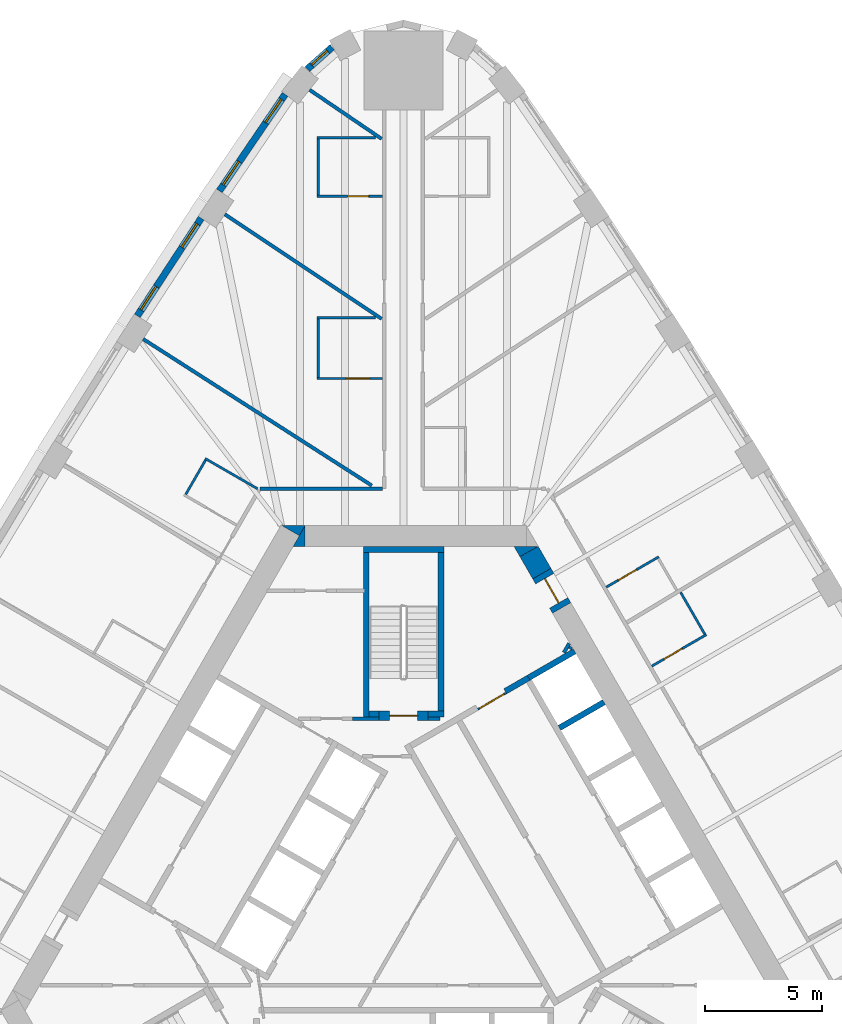
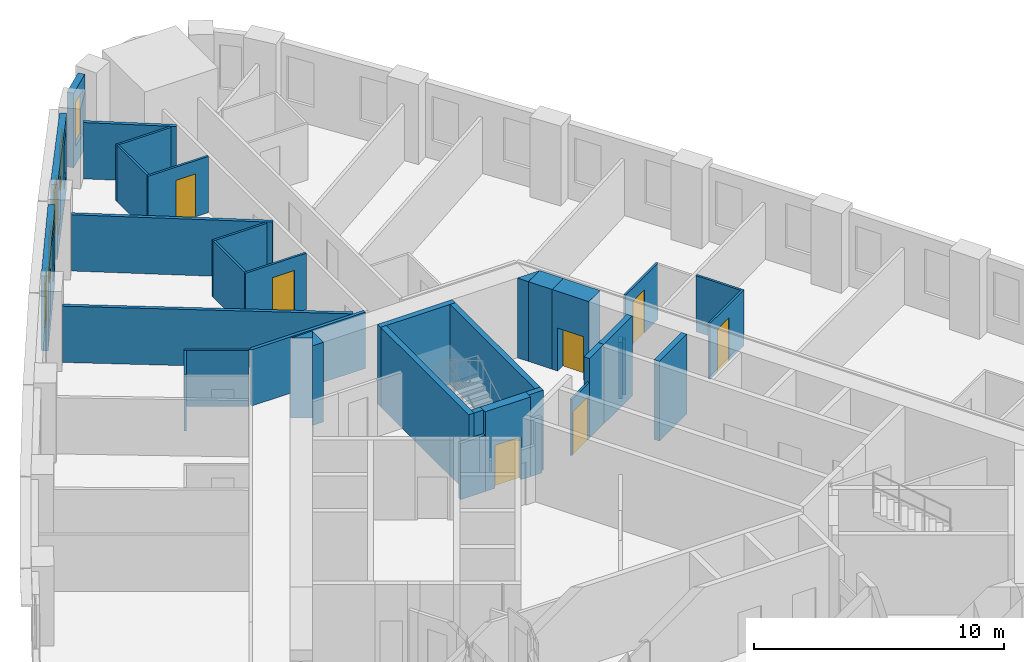
# One storey, part 10 of 13: 37 walls, 7 doors, 5 windows, 12 openings.
"""IFC4 building model written with IfcOpenShell, lengths in metres."""

from ifc_helpers import new_model, si_unit, direction, frame, frame_2d, origin, place, context, subcontext, project, spatial, polyline, rectangle, outline, extrude, material, layer, layer_set, type_object, element, fill, save


model = new_model("IFC4")

# Units and contexts
model_context = context("Model", 3, precision=1e-05, world=origin(), true_north=direction((0.0, 1.0)))
body_context = subcontext(model_context, "Body", "Model", "MODEL_VIEW")
ifc_project = project(units=[si_unit("LENGTHUNIT", "METRE"), si_unit("AREAUNIT", "SQUARE_METRE"), si_unit("VOLUMEUNIT", "CUBIC_METRE"), si_unit("PLANEANGLEUNIT", "RADIAN"), si_unit("MASSUNIT", "GRAM", prefix="KILO")], contexts=[model_context])

# Site, building, storey
site_placement = place(None, origin())
site = spatial("IfcSite", under=ifc_project, at=site_placement, CompositionType="ELEMENT")
building_placement = place(site_placement, origin())
building = spatial("IfcBuilding", under=site, at=building_placement, Name="Mestral Congress Tower", CompositionType="ELEMENT")
storey_placement = place(building_placement, frame((0.0, 0.0, 54.89990234375)))
storey = spatial("IfcBuildingStorey", under=building, at=storey_placement, Name="L12", CompositionType="ELEMENT", Elevation=54.89990234375)

# Walls
ifc_material_1 = material(Name="Fire-rated board partition")
ifc_layer_1 = layer(ifc_material_1, 0.14990234375)
ifc_layer_set_1 = layer_set([ifc_layer_1], Name="Fire-rated board partition")
wall_type_1 = type_object("IfcWallType", Name="Core partition 150", PredefinedType="PARTITIONING", material=ifc_layer_set_1)
wall_1_placement = place(storey_placement, frame((-2.1962890625, 8.62548828125, 0.0), z_axis=(0.0, 0.0, 1.0), x_axis=(1.0, 0.0, 0.0)))
element("IfcWall", 1, at=wall_1_placement, inside=storey, type_object=wall_type_1, Name="L12 core wall", PredefinedType="PARTITIONING", context=body_context, shape_type="SweptSolid", body=[
    extrude(rectangle(XDim=1.146240234375, YDim=0.14990234375, at=frame_2d((0.5732421875, 0.0))), origin(), (0.0, 0.0, 1.0), 2.75),
])
wall_2_placement = place(storey_placement, frame((1.050048828125, 8.62548828125, 0.0), z_axis=(0.0, 0.0, 1.0), x_axis=(1.0, 0.0, 0.0)))
element("IfcWall", 2, at=wall_2_placement, inside=storey, type_object=wall_type_1, Name="L12 core wall", PredefinedType="PARTITIONING", context=body_context, shape_type="SweptSolid", body=[
    extrude(rectangle(XDim=0.513916015625, YDim=0.14990234375, at=frame_2d((0.2568359375, 0.0))), origin(), (0.0, 0.0, 1.0), 2.75),
])
wall_3_placement = place(storey_placement, frame((6.87158203125, 11.44970703125, 0.0), z_axis=(0.0, 0.0, 1.0), x_axis=(0.499846793097, 0.866113839764, 0.0)))
element("IfcWall", 3, at=wall_3_placement, inside=storey, type_object=wall_type_1, Name="L12 core wall", PredefinedType="PARTITIONING", context=body_context, shape_type="SweptSolid", body=[
    extrude(rectangle(XDim=0.453369140625, YDim=0.14990234375, at=frame_2d((0.2265625, 0.0))), origin(), (0.0, 0.0, 1.0), 2.75),
])
wall_4_placement = place(storey_placement, frame((7.13134765625, 11.599609375, 0.0), z_axis=(0.0, 0.0, 1.0), x_axis=(0.498600033135, 0.866832167699, 0.0)))
element("IfcWall", 4, at=wall_4_placement, inside=storey, type_object=wall_type_1, Name="L12 core wall", PredefinedType="PARTITIONING", context=body_context, shape_type="SweptSolid", body=[
    extrude(rectangle(XDim=0.106689453125, YDim=0.14990234375, at=frame_2d((0.05322265625, 0.0))), origin(), (0.0, 0.0, 1.0), 2.75),
])

# Wall, opening, door
ifc_layer_2 = layer(ifc_material_1, 0.090087890625)
ifc_layer_set_2 = layer_set([ifc_layer_2], Name="Fire-rated board partition")
wall_type_2 = type_object("IfcWallType", Name="Core partition 150 door-wall 90", PredefinedType="PARTITIONING", material=ifc_layer_set_2)
wall_5_placement = place(storey_placement, frame((3.182861328125, 9.02001953125, 0.0), z_axis=(0.0, 0.0, 1.0), x_axis=(0.866034573852, 0.49998411664, 0.0)))
wall_5 = element("IfcWall", 5, at=wall_5_placement, inside=storey, type_object=wall_type_2, Name="L12 door wall", PredefinedType="PARTITIONING", context=body_context, shape_type="SweptSolid", body=[
    extrude(rectangle(XDim=1.39990234375, YDim=0.090087890625, at=frame_2d((0.699951171875, 0.0))), origin(), (0.0, 0.0, 1.0), 2.75),
])
opening_1_placement = place(wall_5_placement, frame((0.10009765625, 0.0, 0.0)))
opening_1 = element("IfcOpeningElement", 6, at=opening_1_placement, cuts=wall_5, Name="Opening LB1-WL2", PredefinedType="OPENING", context=body_context, shape_type="SweptSolid", body=[
    extrude(rectangle(XDim=1.199951171875, YDim=2.10009765625, at=frame_2d((0.60009765625, 1.050048828125))), frame((0.0, 0.054931640625, 0.0), z_axis=(0.0, -1.0, 0.0), x_axis=(1.0, 0.0, 0.0)), (0.0, 0.0, 1.0), 0.110107421875),
])
ifc_material_2 = material(Name="Fire-rated steel door set", Category="steel")
door_type_1 = type_object("IfcDoorType", Name="Core door LB 1200x2100", OperationType="SINGLE_SWING_LEFT", PredefinedType="DOOR", material=ifc_material_2)
door_1_placement = place(opening_1_placement, origin())
door_1 = element("IfcDoor", 7, at=door_1_placement, inside=storey, type_object=door_type_1, Name="Door LB1-WL2", OperationType="SINGLE_SWING_LEFT", OverallHeight=2.10009765625, OverallWidth=1.199951171875, PredefinedType="DOOR", context=body_context, shape_type="SweptSolid", body=[
    extrude(rectangle(XDim=1.199951171875, YDim=2.10009765625, at=frame_2d((0.60009765625, 1.050048828125))), frame((0.0, 0.02490234375, 0.0), z_axis=(0.0, -1.0, 0.0), x_axis=(1.0, 0.0, 0.0)), (0.0, 0.0, 1.0), 0.050048828125),
])
fill(opening_1, door_1)

# Walls
ifc_material_3 = material(Name="Concrete C60/75", Category="concrete")
ifc_layer_3 = layer(ifc_material_3, 0.89990234375)
ifc_layer_set_3 = layer_set([ifc_layer_3], Name="Concrete C60/75")
wall_type_3 = type_object("IfcWallType", Name="Core wall RC 900", PredefinedType="SOLIDWALL", material=ifc_layer_set_3)
placement = place(storey_placement, origin())
element("IfcWall", 8, at=placement, inside=storey, type_object=wall_type_3, Name="L12 core wall", PredefinedType="SOLIDWALL", context=body_context, shape_type="SweptSolid", body=[
    extrude(outline(polyline([(-4.214599609375, 16.89990234375), (-4.46875, 16.460205078125), (-5.230712890625, 16.89990234375), (-4.214599609375, 16.89990234375)])), origin(), (0.0, 0.0, 1.0), 3.900146484375),
])
element("IfcWall", 9, at=placement, inside=storey, type_object=wall_type_3, Name="L12 core wall", PredefinedType="SOLIDWALL", context=body_context, shape_type="SweptSolid", body=[
    extrude(outline(polyline([(-4.734375, 16.0), (-4.226318359375, 16.8798828125), (-4.226318359375, 16.0), (-4.734375, 16.0)])), origin(), (0.0, 0.0, 1.0), 3.900146484375),
])
wall_8_placement = place(storey_placement, frame((5.92578125, 14.836181640625, 0.0), z_axis=(0.0, 0.0, 1.0), x_axis=(-0.500076735116, 0.865981096212, 0.0)))
element("IfcWall", 10, at=wall_8_placement, inside=storey, type_object=wall_type_3, Name="L12 core wall", PredefinedType="SOLIDWALL", context=body_context, shape_type="SweptSolid", body=[
    extrude(rectangle(XDim=1.093505859375, YDim=0.89990234375, at=frame_2d((0.546875, 0.0))), origin(), (0.0, 0.0, 1.0), 3.900146484375),
])
element("IfcWall", 11, at=placement, inside=storey, type_object=wall_type_3, Name="L12 core wall", PredefinedType="SOLIDWALL", context=body_context, shape_type="SweptSolid", body=[
    extrude(outline(polyline([(4.734375, 16.0), (5.750244140625, 16.0), (4.98828125, 15.56005859375), (4.734375, 16.0)])), origin(), (0.0, 0.0, 1.0), 3.900146484375),
])

# Wall, opening, door
wall_10_placement = place(storey_placement, frame((5.92578125, 14.836181640625, 0.0), z_axis=(0.0, 0.0, 1.0), x_axis=(0.500062241894, -0.865989465428, 0.0)))
wall_10 = element("IfcWall", 12, at=wall_10_placement, inside=storey, type_object=wall_type_3, Name="L12 door wall", PredefinedType="SOLIDWALL", context=body_context, shape_type="SweptSolid", body=[
    extrude(rectangle(XDim=1.699951171875, YDim=0.89990234375, at=frame_2d((0.85009765625, 0.0))), origin(), (0.0, 0.0, 1.0), 3.900146484375),
])
opening_2_placement = place(wall_10_placement, frame((0.25, 0.0, 0.0)))
opening_2 = element("IfcOpeningElement", 13, at=opening_2_placement, cuts=wall_10, Name="Opening XD2", PredefinedType="OPENING", context=body_context, shape_type="SweptSolid", body=[
    extrude(rectangle(XDim=1.199951171875, YDim=2.10009765625, at=frame_2d((0.60009765625, 1.050048828125))), frame((0.0, 0.4599609375, 0.0), z_axis=(0.0, -1.0, 0.0), x_axis=(1.0, 0.0, 0.0)), (0.0, 0.0, 1.0), 0.919921875),
])
door_type_2 = type_object("IfcDoorType", Name="Core door XD 1200x2100", OperationType="SINGLE_SWING_LEFT", PredefinedType="DOOR", material=ifc_material_2)
door_2_placement = place(opening_2_placement, origin())
door_2 = element("IfcDoor", 14, at=door_2_placement, inside=storey, type_object=door_type_2, Name="Door XD2", OperationType="SINGLE_SWING_LEFT", OverallHeight=2.10009765625, OverallWidth=1.199951171875, PredefinedType="DOOR", context=body_context, shape_type="SweptSolid", body=[
    extrude(rectangle(XDim=1.199951171875, YDim=2.10009765625, at=frame_2d((0.60009765625, 1.050048828125))), frame((0.0, 0.02490234375, 0.0), z_axis=(0.0, -1.0, 0.0), x_axis=(1.0, 0.0, 0.0)), (0.0, 0.0, 1.0), 0.050048828125),
])
fill(opening_2, door_2)

# Wall, opening, window
ifc_material_4 = material(Name="Precast concrete C40/50 with limestone facing", Category="masonry")
ifc_layer_4 = layer(ifc_material_4, 0.2900390625)
ifc_layer_set_4 = layer_set([ifc_layer_4], Name="Precast concrete C40/50 with limestone facing")
wall_type_4 = type_object("IfcWallType", Name="Facade stone wall 290", PredefinedType="SOLIDWALL", material=ifc_layer_set_4)
wall_11_placement = place(storey_placement, frame((-3.064453125, 37.395263671875, 0.0), z_axis=(0.0, 0.0, 1.0), x_axis=(-0.749812680302, -0.661650167731, 0.0)))
wall_11 = element("IfcWall", 15, at=wall_11_placement, inside=storey, type_object=wall_type_4, Name="Facade wall K1-3", PredefinedType="SOLIDWALL", context=body_context, shape_type="SweptSolid", body=[
    extrude(rectangle(XDim=1.4150390625, YDim=0.2900390625, at=frame_2d((0.70751953125, 0.0))), origin(), (0.0, 0.0, 1.0), 3.650146484375),
])
opening_3_placement = place(wall_11_placement, frame((0.257568359375, 0.0, 0.89990234375)))
opening_3 = element("IfcOpeningElement", 16, at=opening_3_placement, cuts=wall_11, Name="Opening W3", PredefinedType="OPENING", context=body_context, shape_type="SweptSolid", body=[
    extrude(rectangle(XDim=0.89990234375, YDim=2.14990234375, at=frame_2d((0.449951171875, 1.074951171875))), frame((0.0, 0.155029296875, 0.0), z_axis=(0.0, -1.0, 0.0), x_axis=(1.0, 0.0, 0.0)), (0.0, 0.0, 1.0), 0.31005859375),
])
ifc_material_5 = material(Name="Clear low-emissivity double glazing", Category="glass")
window_type_1 = type_object("IfcWindowType", Name="Facade punched window 900 x 2150 sill 900", PartitioningType="SINGLE_PANEL", PredefinedType="WINDOW", material=ifc_material_5)
window_1_placement = place(opening_3_placement, origin())
window_1 = element("IfcWindow", 17, at=window_1_placement, inside=storey, type_object=window_type_1, Name="Window K1-3", OverallHeight=2.14990234375, OverallWidth=0.89990234375, PartitioningType="SINGLE_PANEL", PredefinedType="WINDOW", context=body_context, shape_type="SweptSolid", body=[
    extrude(rectangle(XDim=0.89990234375, YDim=2.14990234375, at=frame_2d((0.449951171875, 1.074951171875))), frame((0.0, 0.01513671875, 0.0), z_axis=(0.0, -1.0, 0.0), x_axis=(1.0, 0.0, 0.0)), (0.0, 0.0, 1.0), 0.06005859375),
])
fill(opening_3, window_1)

# Wall, openings, windows
wall_12_placement = place(storey_placement, frame((-5.078369140625, 35.37646484375, 0.0), z_axis=(0.0, 0.0, 1.0), x_axis=(-0.562610153679, -0.826722332454, 0.0)))
wall_12 = element("IfcWall", 18, at=wall_12_placement, inside=storey, type_object=wall_type_4, Name="Facade wall F2-00", PredefinedType="SOLIDWALL", context=body_context, shape_type="SweptSolid", body=[
    extrude(rectangle(XDim=5.005615234375, YDim=0.2900390625, at=frame_2d((2.5029296875, 0.0))), origin(), (0.0, 0.0, 1.0), 3.650146484375),
])
opening_4_placement = place(wall_12_placement, frame((0.26513671875, 0.0, 0.89990234375)))
opening_4 = element("IfcOpeningElement", 19, at=opening_4_placement, cuts=wall_12, Name="Opening W1", PredefinedType="OPENING", context=body_context, shape_type="SweptSolid", body=[
    extrude(rectangle(XDim=1.199951171875, YDim=2.14990234375, at=frame_2d((0.60009765625, 1.074951171875))), frame((0.0, 0.155029296875, 0.0), z_axis=(0.0, -1.0, 0.0), x_axis=(1.0, 0.0, 0.0)), (0.0, 0.0, 1.0), 0.31005859375),
])
opening_5_placement = place(wall_12_placement, frame((3.495361328125, 0.0, 0.89990234375)))
opening_5 = element("IfcOpeningElement", 20, at=opening_5_placement, cuts=wall_12, Name="Opening W1", PredefinedType="OPENING", context=body_context, shape_type="SweptSolid", body=[
    extrude(rectangle(XDim=1.199951171875, YDim=2.14990234375, at=frame_2d((0.60009765625, 1.074951171875))), frame((0.0, 0.155029296875, 0.0), z_axis=(0.0, -1.0, 0.0), x_axis=(1.0, 0.0, 0.0)), (0.0, 0.0, 1.0), 0.31005859375),
])
window_type_2 = type_object("IfcWindowType", Name="Facade punched window 1200 x 2150 sill 900", PartitioningType="DOUBLE_PANEL_VERTICAL", PredefinedType="WINDOW", material=ifc_material_5)
window_2_placement = place(opening_4_placement, origin())
window_2 = element("IfcWindow", 21, at=window_2_placement, inside=storey, type_object=window_type_2, Name="Window F2-00a", OverallHeight=2.14990234375, OverallWidth=1.199951171875, PartitioningType="DOUBLE_PANEL_VERTICAL", PredefinedType="WINDOW", context=body_context, shape_type="SweptSolid", body=[
    extrude(rectangle(XDim=1.199951171875, YDim=2.14990234375, at=frame_2d((0.60009765625, 1.074951171875))), frame((0.0, 0.01513671875, 0.0), z_axis=(0.0, -1.0, 0.0), x_axis=(1.0, 0.0, 0.0)), (0.0, 0.0, 1.0), 0.06005859375),
])
fill(opening_4, window_2)
window_3_placement = place(opening_5_placement, origin())
window_3 = element("IfcWindow", 22, at=window_3_placement, inside=storey, type_object=window_type_2, Name="Window F2-00b", OverallHeight=2.14990234375, OverallWidth=1.199951171875, PartitioningType="DOUBLE_PANEL_VERTICAL", PredefinedType="WINDOW", context=body_context, shape_type="SweptSolid", body=[
    extrude(rectangle(XDim=1.199951171875, YDim=2.14990234375, at=frame_2d((0.60009765625, 1.074951171875))), frame((0.0, 0.01513671875, 0.0), z_axis=(0.0, -1.0, 0.0), x_axis=(1.0, 0.0, 0.0)), (0.0, 0.0, 1.0), 0.06005859375),
])
fill(opening_5, window_3)

wall_13_placement = place(storey_placement, frame((-8.675537109375, 30.067626953125, 0.0), z_axis=(0.0, 0.0, 1.0), x_axis=(-0.547204617628, -0.836998868845, 0.0)))
wall_13 = element("IfcWall", 23, at=wall_13_placement, inside=storey, type_object=wall_type_4, Name="Facade wall F2-01", PredefinedType="SOLIDWALL", context=body_context, shape_type="SweptSolid", body=[
    extrude(rectangle(XDim=4.998291015625, YDim=0.2900390625, at=frame_2d((2.4990234375, 0.0))), origin(), (0.0, 0.0, 1.0), 3.650146484375),
])
opening_6_placement = place(wall_13_placement, frame((0.297119140625, 0.0, 0.89990234375)))
opening_6 = element("IfcOpeningElement", 24, at=opening_6_placement, cuts=wall_13, Name="Opening W1", PredefinedType="OPENING", context=body_context, shape_type="SweptSolid", body=[
    extrude(rectangle(XDim=1.199951171875, YDim=2.14990234375, at=frame_2d((0.60009765625, 1.074951171875))), frame((0.0, 0.155029296875, 0.0), z_axis=(0.0, -1.0, 0.0), x_axis=(1.0, 0.0, 0.0)), (0.0, 0.0, 1.0), 0.31005859375),
])
opening_7_placement = place(wall_13_placement, frame((3.501220703125, 0.0, 0.89990234375)))
opening_7 = element("IfcOpeningElement", 25, at=opening_7_placement, cuts=wall_13, Name="Opening W1", PredefinedType="OPENING", context=body_context, shape_type="SweptSolid", body=[
    extrude(rectangle(XDim=1.199951171875, YDim=2.14990234375, at=frame_2d((0.60009765625, 1.074951171875))), frame((0.0, 0.155029296875, 0.0), z_axis=(0.0, -1.0, 0.0), x_axis=(1.0, 0.0, 0.0)), (0.0, 0.0, 1.0), 0.31005859375),
])
window_4_placement = place(opening_6_placement, origin())
window_4 = element("IfcWindow", 26, at=window_4_placement, inside=storey, type_object=window_type_2, Name="Window F2-01a", OverallHeight=2.14990234375, OverallWidth=1.199951171875, PartitioningType="DOUBLE_PANEL_VERTICAL", PredefinedType="WINDOW", context=body_context, shape_type="SweptSolid", body=[
    extrude(rectangle(XDim=1.199951171875, YDim=2.14990234375, at=frame_2d((0.60009765625, 1.074951171875))), frame((0.0, 0.01513671875, 0.0), z_axis=(0.0, -1.0, 0.0), x_axis=(1.0, 0.0, 0.0)), (0.0, 0.0, 1.0), 0.06005859375),
])
fill(opening_6, window_4)
window_5_placement = place(opening_7_placement, origin())
window_5 = element("IfcWindow", 27, at=window_5_placement, inside=storey, type_object=window_type_2, Name="Window F2-01b", OverallHeight=2.14990234375, OverallWidth=1.199951171875, PartitioningType="DOUBLE_PANEL_VERTICAL", PredefinedType="WINDOW", context=body_context, shape_type="SweptSolid", body=[
    extrude(rectangle(XDim=1.199951171875, YDim=2.14990234375, at=frame_2d((0.60009765625, 1.074951171875))), frame((0.0, 0.01513671875, 0.0), z_axis=(0.0, -1.0, 0.0), x_axis=(1.0, 0.0, 0.0)), (0.0, 0.0, 1.0), 0.06005859375),
])
fill(opening_7, window_5)

# Wall, opening, door
ifc_material_6 = material(Name="Gypsum board partition on metal studs with mineral wool", Category="composite")
ifc_layer_5 = layer(ifc_material_6, 0.10009765625)
ifc_layer_set_5 = layer_set([ifc_layer_5], Name="Gypsum board partition on metal studs with mineral wool")
wall_type_5 = type_object("IfcWallType", Name="Hotel partition wall 100", PredefinedType="PARTITIONING", material=ifc_layer_set_5)
wall_14_placement = place(storey_placement, frame((10.640380859375, 10.87060546875, 0.0), z_axis=(0.0, 0.0, 1.0), x_axis=(0.866036505625, 0.499980770555, 0.0)))
wall_14 = element("IfcWall", 28, at=wall_14_placement, inside=storey, type_object=wall_type_5, Name="L12-h-pod13a", PredefinedType="PARTITIONING", context=body_context, shape_type="SweptSolid", body=[
    extrude(rectangle(XDim=2.69970703125, YDim=0.10009765625, at=frame_2d((1.349853515625, 0.0))), origin(), (0.0, 0.0, 1.0), 2.75),
])
opening_8_placement = place(wall_14_placement, frame((0.60009765625, 0.0, 0.0)))
opening_8 = element("IfcOpeningElement", 29, at=opening_8_placement, cuts=wall_14, Name="Opening H03-026", PredefinedType="OPENING", context=body_context, shape_type="SweptSolid", body=[
    extrude(rectangle(XDim=0.89990234375, YDim=2.10009765625, at=frame_2d((0.449951171875, 1.050048828125))), frame((0.0, 0.06005859375, 0.0), z_axis=(0.0, -1.0, 0.0), x_axis=(1.0, 0.0, 0.0)), (0.0, 0.0, 1.0), 0.1201171875),
])
ifc_material_7 = material(Name="Timber veneer door leaf in timber frame", Category="wood")
door_type_3 = type_object("IfcDoorType", Name="Bathroom door 900", OperationType="SINGLE_SWING_LEFT", PredefinedType="DOOR", material=ifc_material_7)
door_3_placement = place(opening_8_placement, origin())
door_3 = element("IfcDoor", 30, at=door_3_placement, inside=storey, type_object=door_type_3, Name="L12-h-d026", OperationType="SINGLE_SWING_LEFT", OverallHeight=2.10009765625, OverallWidth=0.89990234375, PredefinedType="DOOR", context=body_context, shape_type="SweptSolid", body=[
    extrude(rectangle(XDim=0.89990234375, YDim=2.10009765625, at=frame_2d((0.449951171875, 1.050048828125))), frame((0.0, 0.02490234375, 0.0), z_axis=(0.0, -1.0, 0.0), x_axis=(1.0, 0.0, 0.0)), (0.0, 0.0, 1.0), 0.050048828125),
])
fill(opening_8, door_3)

# Wall
wall_15_placement = place(storey_placement, frame((12.91015625, 12.23876953125, 0.0), z_axis=(0.0, 0.0, 1.0), x_axis=(-0.499957272447, 0.866050071143, 0.0)))
element("IfcWall", 31, at=wall_15_placement, inside=storey, type_object=wall_type_5, Name="L12-h-pod13b", PredefinedType="PARTITIONING", context=body_context, shape_type="SweptSolid", body=[
    extrude(rectangle(XDim=2.070068359375, YDim=0.10009765625, at=frame_2d((1.03515625, 0.0))), origin(), (0.0, 0.0, 1.0), 2.75),
])

# Wall, opening, door
wall_16_placement = place(storey_placement, frame((10.938232421875, 15.55419921875, 0.0), z_axis=(0.0, 0.0, 1.0), x_axis=(-0.866062058628, -0.499936506574, 0.0)))
wall_16 = element("IfcWall", 32, at=wall_16_placement, inside=storey, type_object=wall_type_5, Name="L12-h-pod14a", PredefinedType="PARTITIONING", context=body_context, shape_type="SweptSolid", body=[
    extrude(rectangle(XDim=2.599853515625, YDim=0.10009765625, at=frame_2d((1.2998046875, 0.0))), origin(), (0.0, 0.0, 1.0), 2.75),
])
opening_9_placement = place(wall_16_placement, frame((1.10009765625, 0.0, 0.0)))
opening_9 = element("IfcOpeningElement", 33, at=opening_9_placement, cuts=wall_16, Name="Opening H03-028", PredefinedType="OPENING", context=body_context, shape_type="SweptSolid", body=[
    extrude(rectangle(XDim=0.89990234375, YDim=2.10009765625, at=frame_2d((0.449951171875, 1.050048828125))), frame((0.0, 0.06005859375, 0.0), z_axis=(0.0, -1.0, 0.0), x_axis=(1.0, 0.0, 0.0)), (0.0, 0.0, 1.0), 0.1201171875),
])
door_4_placement = place(opening_9_placement, origin())
door_4 = element("IfcDoor", 34, at=door_4_placement, inside=storey, type_object=door_type_3, Name="L12-h-d028", OperationType="SINGLE_SWING_LEFT", OverallHeight=2.10009765625, OverallWidth=0.89990234375, PredefinedType="DOOR", context=body_context, shape_type="SweptSolid", body=[
    extrude(rectangle(XDim=0.89990234375, YDim=2.10009765625, at=frame_2d((0.449951171875, 1.050048828125))), frame((0.0, 0.02490234375, 0.0), z_axis=(0.0, -1.0, 0.0), x_axis=(1.0, 0.0, 0.0)), (0.0, 0.0, 1.0), 0.050048828125),
])
fill(opening_9, door_4)

wall_17_placement = place(storey_placement, frame((-3.699951171875, 31.008544921875, 0.0), z_axis=(0.0, 0.0, 1.0), x_axis=(1.0, 0.0, 0.0)))
wall_17 = element("IfcWall", 35, at=wall_17_placement, inside=storey, type_object=wall_type_5, Name="L12-h-pod18a", PredefinedType="PARTITIONING", context=body_context, shape_type="SweptSolid", body=[
    extrude(rectangle(XDim=2.800048828125, YDim=0.10009765625, at=frame_2d((1.39990234375, 0.0))), origin(), (0.0, 0.0, 1.0), 2.75),
])
opening_10_placement = place(wall_17_placement, frame((1.300048828125, 0.0, 0.0)))
opening_10 = element("IfcOpeningElement", 36, at=opening_10_placement, cuts=wall_17, Name="Opening H03-035", PredefinedType="OPENING", context=body_context, shape_type="SweptSolid", body=[
    extrude(rectangle(XDim=0.89990234375, YDim=2.10009765625, at=frame_2d((0.449951171875, 1.050048828125))), frame((0.0, 0.06005859375, 0.0), z_axis=(0.0, -1.0, 0.0), x_axis=(1.0, 0.0, 0.0)), (0.0, 0.0, 1.0), 0.1201171875),
])
door_5_placement = place(opening_10_placement, origin())
door_5 = element("IfcDoor", 37, at=door_5_placement, inside=storey, type_object=door_type_3, Name="L12-h-d035", OperationType="SINGLE_SWING_RIGHT", OverallHeight=2.10009765625, OverallWidth=0.89990234375, PredefinedType="DOOR", context=body_context, shape_type="SweptSolid", body=[
    extrude(rectangle(XDim=0.89990234375, YDim=2.10009765625, at=frame_2d((0.449951171875, 1.050048828125))), frame((0.0, 0.02490234375, 0.0), z_axis=(0.0, -1.0, 0.0), x_axis=(1.0, 0.0, 0.0)), (0.0, 0.0, 1.0), 0.050048828125),
])
fill(opening_10, door_5)

# Walls
wall_18_placement = place(storey_placement, frame((-3.64990234375, 31.05859375, 0.0), z_axis=(0.0, 0.0, 1.0), x_axis=(0.0, 1.0, 0.0)))
element("IfcWall", 38, at=wall_18_placement, inside=storey, type_object=wall_type_5, Name="L12-h-pod18b", PredefinedType="PARTITIONING", context=body_context, shape_type="SweptSolid", body=[
    extrude(rectangle(XDim=2.39990234375, YDim=0.10009765625, at=frame_2d((1.199951171875, 0.0))), origin(), (0.0, 0.0, 1.0), 2.75),
])
wall_19_placement = place(storey_placement, frame((-1.199951171875, 33.508544921875, 0.0), z_axis=(0.0, 0.0, 1.0), x_axis=(-1.0, 0.0, 0.0)))
element("IfcWall", 39, at=wall_19_placement, inside=storey, type_object=wall_type_5, Name="L12-h-pod18c", PredefinedType="PARTITIONING", context=body_context, shape_type="SweptSolid", body=[
    extrude(rectangle(XDim=2.5, YDim=0.10009765625, at=frame_2d((1.25, 0.0))), origin(), (0.0, 0.0, 1.0), 2.75),
])

# Wall, opening, door
wall_20_placement = place(storey_placement, frame((-3.699951171875, 23.194580078125, 0.0), z_axis=(0.0, 0.0, 1.0), x_axis=(1.0, 0.0, 0.0)))
wall_20 = element("IfcWall", 40, at=wall_20_placement, inside=storey, type_object=wall_type_5, Name="L12-h-pod19a", PredefinedType="PARTITIONING", context=body_context, shape_type="SweptSolid", body=[
    extrude(rectangle(XDim=2.800048828125, YDim=0.10009765625, at=frame_2d((1.39990234375, 0.0))), origin(), (0.0, 0.0, 1.0), 2.75),
])
opening_11_placement = place(wall_20_placement, frame((1.25, 0.0, 0.0)))
opening_11 = element("IfcOpeningElement", 41, at=opening_11_placement, cuts=wall_20, Name="Opening H03-037", PredefinedType="OPENING", context=body_context, shape_type="SweptSolid", body=[
    extrude(rectangle(XDim=1.0, YDim=2.10009765625, at=frame_2d((0.5, 1.050048828125))), frame((0.0, 0.06005859375, 0.0), z_axis=(0.0, -1.0, 0.0), x_axis=(1.0, 0.0, 0.0)), (0.0, 0.0, 1.0), 0.1201171875),
])
door_type_4 = type_object("IfcDoorType", Name="Accessible bathroom door 1000", OperationType="SINGLE_SWING_LEFT", PredefinedType="DOOR", material=ifc_material_7)
door_6_placement = place(opening_11_placement, origin())
door_6 = element("IfcDoor", 42, at=door_6_placement, inside=storey, type_object=door_type_4, Name="L12-h-d037", OperationType="SINGLE_SWING_LEFT", OverallHeight=2.10009765625, OverallWidth=1.0, PredefinedType="DOOR", context=body_context, shape_type="SweptSolid", body=[
    extrude(rectangle(XDim=1.0, YDim=2.10009765625, at=frame_2d((0.5, 1.050048828125))), frame((0.0, 0.02490234375, 0.0), z_axis=(0.0, -1.0, 0.0), x_axis=(1.0, 0.0, 0.0)), (0.0, 0.0, 1.0), 0.050048828125),
])
fill(opening_11, door_6)

# Walls
wall_21_placement = place(storey_placement, frame((-3.64990234375, 23.24462890625, 0.0), z_axis=(0.0, 0.0, 1.0), x_axis=(0.0, 1.0, 0.0)))
element("IfcWall", 43, at=wall_21_placement, inside=storey, type_object=wall_type_5, Name="L12-h-pod19b", PredefinedType="PARTITIONING", context=body_context, shape_type="SweptSolid", body=[
    extrude(rectangle(XDim=2.5, YDim=0.10009765625, at=frame_2d((1.25, 0.0))), origin(), (0.0, 0.0, 1.0), 2.75),
])
wall_22_placement = place(storey_placement, frame((-1.2099609375, 25.794677734375, 0.0), z_axis=(0.0, 0.0, 1.0), x_axis=(-1.0, 0.0, 0.0)))
element("IfcWall", 44, at=wall_22_placement, inside=storey, type_object=wall_type_5, Name="L12-h-pod19c", PredefinedType="PARTITIONING", context=body_context, shape_type="SweptSolid", body=[
    extrude(rectangle(XDim=2.489990234375, YDim=0.10009765625, at=frame_2d((1.2451171875, 0.0))), origin(), (0.0, 0.0, 1.0), 2.75),
])
wall_23_placement = place(storey_placement, frame((-9.33642578125, 18.228759765625, 0.0), z_axis=(0.0, 0.0, 1.0), x_axis=(0.499954529098, 0.86605165483, 0.0)))
element("IfcWall", 45, at=wall_23_placement, inside=storey, type_object=wall_type_5, Name="L12-h-pod20b", PredefinedType="PARTITIONING", context=body_context, shape_type="SweptSolid", body=[
    extrude(rectangle(XDim=1.699951171875, YDim=0.10009765625, at=frame_2d((0.85009765625, 0.0))), origin(), (0.0, 0.0, 1.0), 2.75),
])
wall_24_placement = place(storey_placement, frame((-6.253173828125, 18.46923828125, 0.0), z_axis=(0.0, 0.0, 1.0), x_axis=(-0.866021400173, 0.500006934395, 0.0)))
element("IfcWall", 46, at=wall_24_placement, inside=storey, type_object=wall_type_5, Name="L12-h-pod20c", PredefinedType="PARTITIONING", context=body_context, shape_type="SweptSolid", body=[
    extrude(rectangle(XDim=2.60009765625, YDim=0.10009765625, at=frame_2d((1.300048828125, 0.0))), origin(), (0.0, 0.0, 1.0), 2.75),
])
ifc_layer_6 = layer(ifc_material_6, 0.14990234375)
ifc_layer_set_6 = layer_set([ifc_layer_6], Name="Gypsum board partition on metal studs with mineral wool")
wall_type_6 = type_object("IfcWallType", Name="Hotel partition wall 150", PredefinedType="PARTITIONING", material=ifc_layer_set_6)
wall_25_placement = place(storey_placement, frame((-6.1630859375, 18.47509765625, 0.0), z_axis=(0.0, 0.0, 1.0), x_axis=(1.0, 0.0, 0.0)))
element("IfcWall", 47, at=wall_25_placement, inside=storey, type_object=wall_type_6, Name="L12-h-cw07", PredefinedType="PARTITIONING", context=body_context, shape_type="SweptSolid", body=[
    extrude(rectangle(XDim=5.258056640625, YDim=0.14990234375, at=frame_2d((2.62890625, 0.0))), origin(), (0.0, 0.0, 1.0), 2.75),
])
wall_26_placement = place(storey_placement, frame((-4.02783203125, 35.56884765625, 0.0), z_axis=(0.0, 0.0, 1.0), x_axis=(0.826700206326, -0.56264266534, 0.0)))
element("IfcWall", 48, at=wall_26_placement, inside=storey, type_object=wall_type_6, Name="L12-h-pw11", PredefinedType="PARTITIONING", context=body_context, shape_type="SweptSolid", body=[
    extrude(rectangle(XDim=3.7333984375, YDim=0.14990234375, at=frame_2d((1.86669921875, 0.0))), origin(), (0.0, 0.0, 1.0), 2.75),
])
wall_27_placement = place(storey_placement, frame((-11.16015625, 24.887939453125, 0.0), z_axis=(0.0, 0.0, 1.0), x_axis=(0.84199813156, -0.539480441211, 0.0)))
element("IfcWall", 49, at=wall_27_placement, inside=storey, type_object=wall_type_6, Name="L12-h-pw12", PredefinedType="PARTITIONING", context=body_context, shape_type="SweptSolid", body=[
    extrude(rectangle(XDim=11.63818359375, YDim=0.14990234375, at=frame_2d((5.819091796875, 0.0))), origin(), (0.0, 0.0, 1.0), 2.75),
])
wall_28_placement = place(storey_placement, frame((-7.662353515625, 30.237548828125, 0.0), z_axis=(0.0, 0.0, 1.0), x_axis=(0.831882886825, -0.554951225431, 0.0)))
element("IfcWall", 50, at=wall_28_placement, inside=storey, type_object=wall_type_6, Name="L12-h-pw13", PredefinedType="PARTITIONING", context=body_context, shape_type="SweptSolid", body=[
    extrude(rectangle(XDim=8.078857421875, YDim=0.14990234375, at=frame_2d((4.03955078125, 0.0))), origin(), (0.0, 0.0, 1.0), 2.75),
])
ifc_layer_7 = layer(ifc_material_3, 0.25)
ifc_layer_set_7 = layer_set([ifc_layer_7], Name="Concrete C60/75")
wall_type_7 = type_object("IfcWallType", Name="Shaft wall RC 250", PredefinedType="SOLIDWALL", material=ifc_layer_set_7)
wall_29_placement = place(storey_placement, frame((4.3583984375, 9.791015625, 0.0), z_axis=(0.0, 0.0, 1.0), x_axis=(0.866079547155, 0.499906209203, 0.0)))
element("IfcWall", 51, at=wall_29_placement, inside=storey, type_object=wall_type_7, Name="L12 core wall", PredefinedType="SOLIDWALL", context=body_context, shape_type="SweptSolid", body=[
    extrude(rectangle(XDim=1.150146484375, YDim=0.25, at=frame_2d((0.5751953125, 0.0))), origin(), (0.0, 0.0, 1.0), 3.900146484375),
])
wall_30_placement = place(storey_placement, frame((5.356201171875, 10.366943359375, 0.0), z_axis=(0.0, 0.0, 1.0), x_axis=(0.865978535641, 0.50008116922, 0.0)))
element("IfcWall", 52, at=wall_30_placement, inside=storey, type_object=wall_type_7, Name="L12 core wall", PredefinedType="SOLIDWALL", context=body_context, shape_type="SweptSolid", body=[
    extrude(rectangle(XDim=2.27783203125, YDim=0.25, at=frame_2d((1.138916015625, 0.0))), origin(), (0.0, 0.0, 1.0), 3.900146484375),
])
wall_31_placement = place(storey_placement, frame((6.68359375, 8.2236328125, 0.0), z_axis=(0.0, 0.0, 1.0), x_axis=(0.86605622881, 0.499946605688, 0.0)))
element("IfcWall", 53, at=wall_31_placement, inside=storey, type_object=wall_type_7, Name="L12 core wall", PredefinedType="SOLIDWALL", context=body_context, shape_type="SweptSolid", body=[
    extrude(rectangle(XDim=2.199951171875, YDim=0.25, at=frame_2d((1.10009765625, 0.0))), origin(), (0.0, 0.0, 1.0), 3.900146484375),
])
ifc_layer_8 = layer(ifc_material_3, 0.25)
ifc_layer_set_8 = layer_set([ifc_layer_8], Name="Concrete C60/75")
wall_type_8 = type_object("IfcWallType", Name="Stair wall RC 250", PredefinedType="SOLIDWALL", material=ifc_layer_set_8)
wall_32_placement = place(storey_placement, frame((-1.72509765625, 15.875, 0.0), z_axis=(0.0, 0.0, 1.0), x_axis=(1.0, 0.0, 0.0)))
element("IfcWall", 54, at=wall_32_placement, inside=storey, type_object=wall_type_8, Name="L12 core wall", PredefinedType="SOLIDWALL", context=body_context, shape_type="SweptSolid", body=[
    extrude(rectangle(XDim=3.4501953125, YDim=0.25, at=frame_2d((1.72509765625, 0.0))), origin(), (0.0, 0.0, 1.0), 3.900146484375),
])
wall_33_placement = place(storey_placement, frame((1.60009765625, 8.949951171875, 0.0), z_axis=(0.0, 0.0, 1.0), x_axis=(0.0, 1.0, 0.0)))
element("IfcWall", 55, at=wall_33_placement, inside=storey, type_object=wall_type_8, Name="L12 core wall", PredefinedType="SOLIDWALL", context=body_context, shape_type="SweptSolid", body=[
    extrude(rectangle(XDim=6.800048828125, YDim=0.25, at=frame_2d((3.39990234375, 0.0))), origin(), (0.0, 0.0, 1.0), 3.900146484375),
])
wall_34_placement = place(storey_placement, frame((1.050048828125, 8.824951171875, 0.0), z_axis=(0.0, 0.0, 1.0), x_axis=(1.0, 0.0, 0.0)))
element("IfcWall", 56, at=wall_34_placement, inside=storey, type_object=wall_type_8, Name="L12 core wall", PredefinedType="SOLIDWALL", context=body_context, shape_type="SweptSolid", body=[
    extrude(rectangle(XDim=0.675048828125, YDim=0.25, at=frame_2d((0.33740234375, 0.0))), origin(), (0.0, 0.0, 1.0), 3.900146484375),
])
wall_35_placement = place(storey_placement, frame((-1.60009765625, 8.699951171875, 0.0), z_axis=(0.0, 0.0, 1.0), x_axis=(0.0, 1.0, 0.0)))
element("IfcWall", 57, at=wall_35_placement, inside=storey, type_object=wall_type_8, Name="L12 core wall", PredefinedType="SOLIDWALL", context=body_context, shape_type="SweptSolid", body=[
    extrude(rectangle(XDim=7.050048828125, YDim=0.25, at=frame_2d((3.52490234375, 0.0))), origin(), (0.0, 0.0, 1.0), 3.900146484375),
])
wall_36_placement = place(storey_placement, frame((-1.47509765625, 8.824951171875, 0.0), z_axis=(0.0, 0.0, 1.0), x_axis=(1.0, 0.0, 0.0)))
element("IfcWall", 58, at=wall_36_placement, inside=storey, type_object=wall_type_8, Name="L12 core wall", PredefinedType="SOLIDWALL", context=body_context, shape_type="SweptSolid", body=[
    extrude(rectangle(XDim=0.425048828125, YDim=0.25, at=frame_2d((0.21240234375, 0.0))), origin(), (0.0, 0.0, 1.0), 3.900146484375),
])

# Wall, opening, door
ifc_layer_9 = layer(ifc_material_3, 0.39990234375)
ifc_layer_set_9 = layer_set([ifc_layer_9], Name="Concrete C60/75")
wall_type_9 = type_object("IfcWallType", Name="Stair wall RC 250 door-wall 400", PredefinedType="SOLIDWALL", material=ifc_layer_set_9)
wall_37_placement = place(storey_placement, frame((1.050048828125, 8.75, 0.0), z_axis=(0.0, 0.0, 1.0), x_axis=(-1.0, 0.0, 0.0)))
wall_37 = element("IfcWall", 59, at=wall_37_placement, inside=storey, type_object=wall_type_9, Name="L12 door wall", PredefinedType="SOLIDWALL", context=body_context, shape_type="SweptSolid", body=[
    extrude(rectangle(XDim=2.10009765625, YDim=0.39990234375, at=frame_2d((1.050048828125, 0.0))), origin(), (0.0, 0.0, 1.0), 3.900146484375),
])
opening_12_placement = place(wall_37_placement, frame((0.449951171875, 0.0, 0.0)))
opening_12 = element("IfcOpeningElement", 60, at=opening_12_placement, cuts=wall_37, Name="Opening ST-D2", PredefinedType="OPENING", context=body_context, shape_type="SweptSolid", body=[
    extrude(rectangle(XDim=1.199951171875, YDim=2.10009765625, at=frame_2d((0.60009765625, 1.050048828125))), frame((0.0, 0.2099609375, 0.0), z_axis=(0.0, -1.0, 0.0), x_axis=(1.0, 0.0, 0.0)), (0.0, 0.0, 1.0), 0.419921875),
])
door_type_5 = type_object("IfcDoorType", Name="Core door ST 1200x2100", OperationType="SINGLE_SWING_LEFT", PredefinedType="DOOR", material=ifc_material_2)
door_7_placement = place(opening_12_placement, origin())
door_7 = element("IfcDoor", 61, at=door_7_placement, inside=storey, type_object=door_type_5, Name="Door ST-D2", OperationType="SINGLE_SWING_LEFT", OverallHeight=2.10009765625, OverallWidth=1.199951171875, PredefinedType="DOOR", context=body_context, shape_type="SweptSolid", body=[
    extrude(rectangle(XDim=1.199951171875, YDim=2.10009765625, at=frame_2d((0.60009765625, 1.050048828125))), frame((0.0, 0.02490234375, 0.0), z_axis=(0.0, -1.0, 0.0), x_axis=(1.0, 0.0, 0.0)), (0.0, 0.0, 1.0), 0.050048828125),
])
fill(opening_12, door_7)

save(model, "model.ifc")
